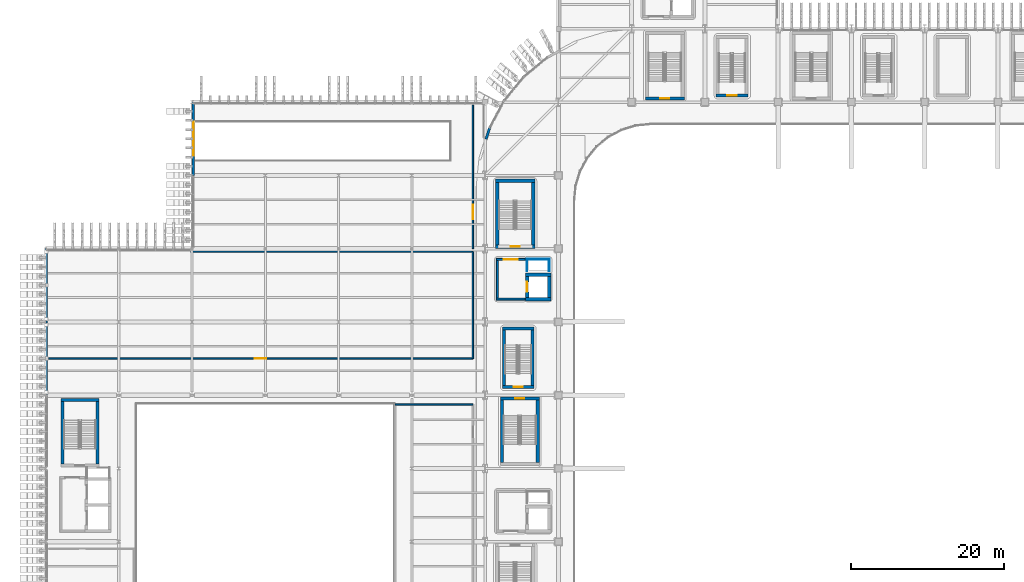
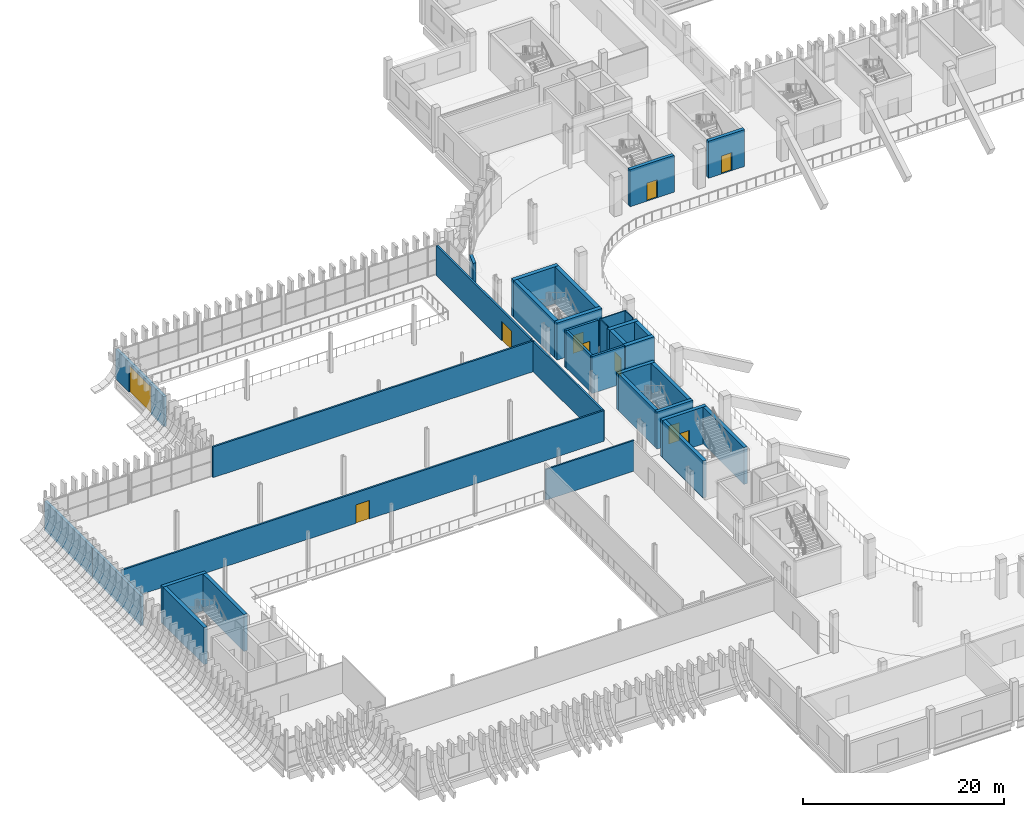
# One storey, part 51 of 100: 35 walls, 10 doors, 10 openings.
"""IFC4 building model written with IfcOpenShell, lengths in metres."""

from ifc_helpers import new_model, si_unit, direction, frame, frame_2d, origin, place, context, subcontext, project, spatial, rectangle, extrude, material, layer, layer_set, type_object, element, fill, save


model = new_model("IFC4")

# Units and contexts
model_context = context("Model", 3, precision=1e-05, world=origin(), true_north=direction((0.0, 1.0)))
body_context = subcontext(model_context, "Body", "Model", "MODEL_VIEW")
ifc_project = project(units=[si_unit("LENGTHUNIT", "METRE"), si_unit("AREAUNIT", "SQUARE_METRE"), si_unit("VOLUMEUNIT", "CUBIC_METRE"), si_unit("PLANEANGLEUNIT", "RADIAN"), si_unit("MASSUNIT", "GRAM", prefix="KILO")], contexts=[model_context])

# Site, building, storey
site_placement = place(None, origin())
site = spatial("IfcSite", under=ifc_project, at=site_placement, CompositionType="ELEMENT")
building_placement = place(site_placement, origin())
building = spatial("IfcBuilding", under=site, at=building_placement, Name="Caelomonte Colonnade Arena", CompositionType="ELEMENT")
storey_placement = place(building_placement, origin())
storey = spatial("IfcBuildingStorey", under=building, at=storey_placement, Name="L00", CompositionType="ELEMENT", Elevation=0.0)

# Wall
ifc_material_1 = material(Name="Precast concrete C40/50", Category="concrete")
ifc_layer_1 = layer(ifc_material_1, 0.330078125)
ifc_layer_set_1 = layer_set([ifc_layer_1], Name="Precast concrete C40/50")
wall_type_1 = type_object("IfcWallType", Name="ENV-WL-EXT33", PredefinedType="SOLIDWALL", material=ifc_layer_set_1)
wall_1_placement = place(storey_placement, frame((58.20556640625, 102.299072265625, 0.0), z_axis=(0.0, 0.0, 1.0), x_axis=(-0.290335421572, -0.956924941142, 0.0)))
element("IfcWall", 1, at=wall_1_placement, inside=storey, type_object=wall_type_1, Name="L00 exterior wall EW-L00-0169", PredefinedType="SOLIDWALL", context=body_context, shape_type="SweptSolid", body=[
    extrude(rectangle(XDim=1.611083984375, YDim=0.330078125, at=frame_2d((0.8056640625, 0.0))), origin(), (0.0, 0.0, 1.0), 3.572998046875),
])

# Wall, opening, door
wall_2_placement = place(storey_placement, frame((19.3798828125, 105.60009765625, 0.0), z_axis=(0.0, 0.0, 1.0), x_axis=(0.0, -1.0, 0.0)))
wall_2 = element("IfcWall", 2, at=wall_2_placement, inside=storey, type_object=wall_type_1, Name="L00 exterior wall EW-L00-0170", PredefinedType="SOLIDWALL", context=body_context, shape_type="SweptSolid", body=[
    extrude(rectangle(XDim=9.60009765625, YDim=0.330078125, at=frame_2d((4.800048828125, 0.0))), origin(), (0.0, 0.0, 1.0), 3.664306640625),
])
opening_1_placement = place(wall_2_placement, frame((7.0, 0.0, 0.0), z_axis=(0.0, 0.0, 1.0), x_axis=(-1.0, 0.0, 0.0)))
opening_1 = element("IfcOpeningElement", 3, at=opening_1_placement, cuts=wall_2, Name="Opening VD-05", PredefinedType="OPENING", context=body_context, shape_type="SweptSolid", body=[
    extrude(rectangle(XDim=4.39990234375, YDim=3.314453125, at=frame_2d((2.199951171875, 1.6572265625))), frame((0.0, 0.175048828125, 0.0), z_axis=(0.0, -1.0, 0.0), x_axis=(1.0, 0.0, 0.0)), (0.0, 0.0, 1.0), 0.35009765625),
])
ifc_material_2 = material(Name="Insulated galvanized steel ramp shutter", Category="steel")
door_type_1 = type_object("IfcDoorType", Name="ENV-DR-VDR", OperationType="ROLLINGUP", PredefinedType="USERDEFINED", material=ifc_material_2)
door_1_placement = place(opening_1_placement, origin())
door_1 = element("IfcDoor", 4, at=door_1_placement, inside=storey, type_object=door_type_1, Name="Vehicle service ramp shutter VD-05 VD-05", ObjectType="ROLLER SHUTTER", OperationType="ROLLINGUP", OverallHeight=3.314453125, OverallWidth=4.39990234375, PredefinedType="USERDEFINED", context=body_context, shape_type="SweptSolid", body=[
    extrude(rectangle(XDim=4.39990234375, YDim=3.314453125, at=frame_2d((2.199951171875, 1.6572265625))), frame((0.0, 0.02490234375, 0.0), z_axis=(0.0, -1.0, 0.0), x_axis=(1.0, 0.0, 0.0)), (0.0, 0.0, 1.0), 0.050048828125),
])
fill(opening_1, door_1)

# Walls
wall_3_placement = place(storey_placement, frame((0.10009765625, 86.39990234375, 0.0), z_axis=(0.0, 0.0, 1.0), x_axis=(0.0, -1.0, 0.0)))
element("IfcWall", 5, at=wall_3_placement, inside=storey, type_object=wall_type_1, Name="L00 exterior wall EW-L00-0171", PredefinedType="SOLIDWALL", context=body_context, shape_type="SweptSolid", body=[
    extrude(rectangle(XDim=9.599853515625, YDim=0.330078125, at=frame_2d((4.7998046875, 0.0))), origin(), (0.0, 0.0, 1.0), 3.572998046875),
])
wall_4_placement = place(storey_placement, frame((0.10009765625, 76.800048828125, 0.0), z_axis=(0.0, 0.0, 1.0), x_axis=(0.0, -1.0, 0.0)))
element("IfcWall", 6, at=wall_4_placement, inside=storey, type_object=wall_type_1, Name="L00 exterior wall EW-L00-0172", PredefinedType="SOLIDWALL", context=body_context, shape_type="SweptSolid", body=[
    extrude(rectangle(XDim=9.60009765625, YDim=0.330078125, at=frame_2d((4.800048828125, 0.0))), origin(), (0.0, 0.0, 1.0), 3.572998046875),
])
ifc_material_3 = material(Name="Concrete C40/50", Category="concrete")
ifc_layer_2 = layer(ifc_material_3, 0.260009765625)
ifc_layer_set_2 = layer_set([ifc_layer_2], Name="Concrete C40/50")
wall_type_2 = type_object("IfcWallType", Name="INT-WL-FW26", PredefinedType="SOLIDWALL", material=ifc_layer_set_2)
wall_5_placement = place(storey_placement, frame((59.070068359375, 79.800048828125, 0.0), z_axis=(0.0, 0.0, 1.0), x_axis=(1.0, 0.0, 0.0)))
element("IfcWall", 7, at=wall_5_placement, inside=storey, type_object=wall_type_2, Name="FW-C4-LB L00 south enclosure wall", PredefinedType="SOLIDWALL", context=body_context, shape_type="SweptSolid", body=[
    extrude(rectangle(XDim=3.760009765625, YDim=0.260009765625, at=frame_2d((1.8798828125, 0.0))), origin(), (0.0, 0.0, 1.0), 4.5),
])

# Wall, opening, door
wall_6_placement = place(storey_placement, frame((62.830078125, 85.0, 0.0), z_axis=(0.0, 0.0, 1.0), x_axis=(-1.0, 0.0, 0.0)))
wall_6 = element("IfcWall", 8, at=wall_6_placement, inside=storey, type_object=wall_type_2, Name="FW-C4-LB L00 north enclosure wall", PredefinedType="SOLIDWALL", context=body_context, shape_type="SweptSolid", body=[
    extrude(rectangle(XDim=3.760009765625, YDim=0.260009765625, at=frame_2d((1.8798828125, 0.0))), origin(), (0.0, 0.0, 1.0), 4.5),
])
opening_2_placement = place(wall_6_placement, frame((2.80517578125, 0.0, 0.0), z_axis=(0.0, 0.0, 1.0), x_axis=(-1.0, 0.0, 0.0)))
opening_2 = element("IfcOpeningElement", 9, at=opening_2_placement, cuts=wall_6, Name="Opening FD-2", PredefinedType="OPENING", context=body_context, shape_type="SweptSolid", body=[
    extrude(rectangle(XDim=1.85009765625, YDim=2.25, at=frame_2d((0.925048828125, 1.125))), frame((0.0, 0.139892578125, 0.0), z_axis=(0.0, -1.0, 0.0), x_axis=(1.0, 0.0, 0.0)), (0.0, 0.0, 1.0), 0.280029296875),
])
ifc_material_4 = material(Name="Fire-rated double steel door", Category="steel")
door_type_2 = type_object("IfcDoorType", Name="INT-DR-FD90B", OperationType="DOUBLE_DOOR_SINGLE_SWING", PredefinedType="DOOR", material=ifc_material_4)
door_2_placement = place(opening_2_placement, origin())
door_2 = element("IfcDoor", 10, at=door_2_placement, inside=storey, type_object=door_type_2, Name="Core C4 L00 lobby fire door", OperationType="DOUBLE_DOOR_SINGLE_SWING", OverallHeight=2.25, OverallWidth=1.85009765625, PredefinedType="DOOR", context=body_context, shape_type="SweptSolid", body=[
    extrude(rectangle(XDim=1.85009765625, YDim=2.25, at=frame_2d((0.925048828125, 1.125))), frame((0.0, 0.02490234375, 0.0), z_axis=(0.0, -1.0, 0.0), x_axis=(1.0, 0.0, 0.0)), (0.0, 0.0, 1.0), 0.050048828125),
])
fill(opening_2, door_2)

# Walls
wall_7_placement = place(storey_placement, frame((59.199951171875, 84.8701171875, 0.0), z_axis=(0.0, 0.0, 1.0), x_axis=(0.0, -1.0, 0.0)))
element("IfcWall", 11, at=wall_7_placement, inside=storey, type_object=wall_type_2, Name="FW-C4-LB L00 west enclosure wall", PredefinedType="SOLIDWALL", context=body_context, shape_type="SweptSolid", body=[
    extrude(rectangle(XDim=4.940185546875, YDim=0.260009765625, at=frame_2d((2.47021484375, 0.0))), origin(), (0.0, 0.0, 1.0), 4.5),
])
ifc_material_5 = material(Name="Service shaft lining partition")
ifc_layer_3 = layer(ifc_material_5, 0.10009765625)
ifc_layer_set_3 = layer_set([ifc_layer_3], Name="Service shaft lining partition")
wall_type_3 = type_object("IfcWallType", Name="INT-WL-PT10", PredefinedType="PARTITIONING", material=ifc_layer_set_3)
wall_8_placement = place(storey_placement, frame((66.050048828125, 85.0, 0.0), z_axis=(0.0, 0.0, 1.0), x_axis=(-1.0, 0.0, 0.0)))
element("IfcWall", 12, at=wall_8_placement, inside=storey, type_object=wall_type_3, Name="FW-C4-RS L00 north enclosure wall", PredefinedType="PARTITIONING", context=body_context, shape_type="SweptSolid", body=[
    extrude(rectangle(XDim=3.0, YDim=0.10009765625, at=frame_2d((1.5, 0.0))), origin(), (0.0, 0.0, 1.0), 4.5),
])
for number, where, z_axis, x_axis, name in (
    (13, (63.10009765625, 84.949951171875, 0.0), (0.0, 0.0, 1.0), (0.0, -1.0, 0.0), "FW-C4-RS L00 west enclosure wall"),
    (14, (66.0, 83.449951171875, 0.0), (0.0, 0.0, 1.0), (0.0, 1.0, 0.0), "FW-C4-RS L00 east enclosure wall"),
):
    element("IfcWall", number, at=place(storey_placement, frame(where, z_axis=z_axis, x_axis=x_axis)), inside=storey, type_object=wall_type_3, Name=name, PredefinedType="PARTITIONING", context=body_context, shape_type="SweptSolid", body=[
        extrude(rectangle(XDim=1.5, YDim=0.10009765625, at=frame_2d((0.75, 0.0))), origin(), (0.0, 0.0, 1.0), 4.5),
    ])
ifc_material_6 = material(Name="Acoustic gypsum stud partition")
ifc_layer_4 = layer(ifc_material_6, 0.179931640625)
ifc_layer_set_4 = layer_set([ifc_layer_4], Name="Acoustic gypsum stud partition")
wall_type_4 = type_object("IfcWallType", Name="INT-WL-PT18", PredefinedType="PARTITIONING", material=ifc_layer_set_4)
wall_9_placement = place(storey_placement, frame((45.820068359375, 66.0, 0.0), z_axis=(0.0, 0.0, 1.0), x_axis=(1.0, 0.0, 0.0)))
element("IfcWall", 15, at=wall_9_placement, inside=storey, type_object=wall_type_4, Name="L00 Sports Medicine Clinic partition 110", PredefinedType="PARTITIONING", context=body_context, shape_type="SweptSolid", body=[
    extrude(rectangle(XDim=10.179931640625, YDim=0.179931640625, at=frame_2d((5.08984375, 0.0))), origin(), (0.0, 0.0, 1.0), 3.738037109375),
])
ifc_material_7 = material(Name="Fire-rated gypsum stud partition")
ifc_layer_5 = layer(ifc_material_7, 0.199951171875)
ifc_layer_set_5 = layer_set([ifc_layer_5], Name="Fire-rated gypsum stud partition")
wall_type_5 = type_object("IfcWallType", Name="INT-WL-PT20", PredefinedType="PARTITIONING", material=ifc_layer_set_5)
wall_10_placement = place(storey_placement, frame((19.052978515625, 86.0, 0.0), z_axis=(0.0, 0.0, 1.0), x_axis=(1.0, 0.0, 0.0)))
element("IfcWall", 16, at=wall_10_placement, inside=storey, type_object=wall_type_5, Name="L00 Broadcast Compound Hall partition 114", PredefinedType="PARTITIONING", context=body_context, shape_type="SweptSolid", body=[
    extrude(rectangle(XDim=36.947021484375, YDim=0.199951171875, at=frame_2d((18.4736328125, 0.0))), origin(), (0.0, 0.0, 1.0), 3.738037109375),
])
wall_11_placement = place(storey_placement, frame((56.0, 86.0, 0.0), z_axis=(0.0, 0.0, 1.0), x_axis=(0.0, -1.0, 0.0)))
element("IfcWall", 17, at=wall_11_placement, inside=storey, type_object=wall_type_5, Name="L00 Broadcast Compound Hall partition 115", PredefinedType="PARTITIONING", context=body_context, shape_type="SweptSolid", body=[
    extrude(rectangle(XDim=14.0, YDim=0.199951171875, at=frame_2d((7.0, 0.0))), origin(), (0.0, 0.0, 1.0), 3.664306640625),
])

# Wall, opening, door
wall_12_placement = place(storey_placement, frame((56.0, 72.0, 0.0), z_axis=(0.0, 0.0, 1.0), x_axis=(-1.0, 0.0, 0.0)))
wall_12 = element("IfcWall", 18, at=wall_12_placement, inside=storey, type_object=wall_type_5, Name="L00 Broadcast Compound Hall partition 116", PredefinedType="PARTITIONING", context=body_context, shape_type="SweptSolid", body=[
    extrude(rectangle(XDim=55.60009765625, YDim=0.199951171875, at=frame_2d((27.800048828125, 0.0))), origin(), (0.0, 0.0, 1.0), 3.738037109375),
])
opening_3_placement = place(wall_12_placement, frame((27.050048828125, 0.0, 0.0), z_axis=(0.0, 0.0, 1.0), x_axis=(1.0, 0.0, 0.0)))
opening_3 = element("IfcOpeningElement", 19, at=opening_3_placement, cuts=wall_12, Name="Opening D-L00-037", PredefinedType="OPENING", context=body_context, shape_type="SweptSolid", body=[
    extrude(rectangle(XDim=1.5, YDim=2.25, at=frame_2d((0.75, 1.125))), frame((0.0, 0.10986328125, 0.0), z_axis=(0.0, -1.0, 0.0), x_axis=(1.0, 0.0, 0.0)), (0.0, 0.0, 1.0), 0.219970703125),
])
ifc_material_8 = material(Name="Hardwood double club lounge door", Category="wood")
door_type_3 = type_object("IfcDoorType", Name="INT-DR-SU2", OperationType="DOUBLE_DOOR_SINGLE_SWING", PredefinedType="DOOR", material=ifc_material_8)
door_3_placement = place(opening_3_placement, origin())
door_3 = element("IfcDoor", 20, at=door_3_placement, inside=storey, type_object=door_type_3, Name="L00 Broadcast Compound Hall door D-L00-037", OperationType="DOUBLE_DOOR_SINGLE_SWING", OverallHeight=2.25, OverallWidth=1.5, PredefinedType="DOOR", context=body_context, shape_type="SweptSolid", body=[
    extrude(rectangle(XDim=1.5, YDim=2.25, at=frame_2d((0.75, 1.125))), frame((0.0, 0.02490234375, 0.0), z_axis=(0.0, -1.0, 0.0), x_axis=(1.0, 0.0, 0.0)), (0.0, 0.0, 1.0), 0.050048828125),
])
fill(opening_3, door_3)

ifc_material_9 = material(Name="Acoustic masonry blockwork", Category="masonry")
ifc_layer_6 = layer(ifc_material_9, 0.219970703125)
ifc_layer_set_6 = layer_set([ifc_layer_6], Name="Acoustic masonry blockwork")
wall_type_6 = type_object("IfcWallType", Name="INT-WL-PT22", PredefinedType="PARTITIONING", material=ifc_layer_set_6)
wall_13_placement = place(storey_placement, frame((56.0, 105.199951171875, 0.0), z_axis=(0.0, 0.0, 1.0), x_axis=(0.0, -1.0, 0.0)))
wall_13 = element("IfcWall", 21, at=wall_13_placement, inside=storey, type_object=wall_type_6, Name="L00 Upper Loading Mezzanine partition 117", PredefinedType="PARTITIONING", context=body_context, shape_type="SweptSolid", body=[
    extrude(rectangle(XDim=18.800048828125, YDim=0.219970703125, at=frame_2d((9.39990234375, 0.0))), origin(), (0.0, 0.0, 1.0), 3.664306640625),
])
opening_4_placement = place(wall_13_placement, frame((13.02490234375, 0.0, 0.0), z_axis=(0.0, 0.0, 1.0), x_axis=(1.0, 0.0, 0.0)))
opening_4 = element("IfcOpeningElement", 22, at=opening_4_placement, cuts=wall_13, Name="Opening D-L00-038", PredefinedType="OPENING", context=body_context, shape_type="SweptSolid", body=[
    extrude(rectangle(XDim=1.949951171875, YDim=2.35009765625, at=frame_2d((0.97509765625, 1.175048828125))), frame((0.0, 0.119873046875, 0.0), z_axis=(0.0, -1.0, 0.0), x_axis=(1.0, 0.0, 0.0)), (0.0, 0.0, 1.0), 0.239990234375),
])
ifc_material_10 = material(Name="Double hollow-metal plant room door")
door_type_4 = type_object("IfcDoorType", Name="INT-DR-PLT", OperationType="DOUBLE_DOOR_SINGLE_SWING", PredefinedType="DOOR", material=ifc_material_10)
door_4_placement = place(opening_4_placement, origin())
door_4 = element("IfcDoor", 23, at=door_4_placement, inside=storey, type_object=door_type_4, Name="L00 Upper Loading Mezzanine door D-L00-038", OperationType="DOUBLE_DOOR_SINGLE_SWING", OverallHeight=2.35009765625, OverallWidth=1.949951171875, PredefinedType="DOOR", context=body_context, shape_type="SweptSolid", body=[
    extrude(rectangle(XDim=1.949951171875, YDim=2.35009765625, at=frame_2d((0.97509765625, 1.175048828125))), frame((0.0, 0.02490234375, 0.0), z_axis=(0.0, -1.0, 0.0), x_axis=(1.0, 0.0, 0.0)), (0.0, 0.0, 1.0), 0.050048828125),
])
fill(opening_4, door_4)

# Walls
ifc_material_11 = material(Name="Concrete C50/60", Category="concrete")
ifc_layer_7 = layer(ifc_material_11, 0.39990234375)
ifc_layer_set_7 = layer_set([ifc_layer_7], Name="Concrete C50/60")
wall_type_7 = type_object("IfcWallType", Name="INT-WL-SH40", PredefinedType="SHEAR", material=ifc_layer_set_7)
wall_14_placement = place(storey_placement, frame((7.0, 66.550048828125, 0.0), z_axis=(0.0, 0.0, 1.0), x_axis=(-1.0, 0.0, 0.0)))
element("IfcWall", 24, at=wall_14_placement, inside=storey, type_object=wall_type_7, Name="CW-C8-ST L00 north enclosure wall", PredefinedType="SHEAR", context=body_context, shape_type="SweptSolid", body=[
    extrude(rectangle(XDim=5.0, YDim=0.39990234375, at=frame_2d((2.5, 0.0))), origin(), (0.0, 0.0, 1.0), 4.5),
])
for number, where, z_axis, x_axis, name in (
    (25, (2.199951171875, 66.35009765625, 0.0), (0.0, 0.0, 1.0), (0.0, -1.0, 0.0), "CW-C8-ST L00 west enclosure wall"),
    (26, (6.800048828125, 58.199951171875, 0.0), (0.0, 0.0, 1.0), (0.0, 1.0, 0.0), "CW-C8-ST L00 east enclosure wall"),
):
    element("IfcWall", number, at=place(storey_placement, frame(where, z_axis=z_axis, x_axis=x_axis)), inside=storey, type_object=wall_type_7, Name=name, PredefinedType="SHEAR", context=body_context, shape_type="SweptSolid", body=[
        extrude(rectangle(XDim=8.150146484375, YDim=0.39990234375, at=frame_2d((4.0751953125, 0.0))), origin(), (0.0, 0.0, 1.0), 4.5),
    ])

# Wall, opening, door
wall_15_placement = place(storey_placement, frame((64.699951171875, 66.75, 0.0), z_axis=(0.0, 0.0, 1.0), x_axis=(-1.0, 0.0, 0.0)))
wall_15 = element("IfcWall", 27, at=wall_15_placement, inside=storey, type_object=wall_type_7, Name="CW-ST-09 L00 north enclosure wall", PredefinedType="SHEAR", context=body_context, shape_type="SweptSolid", body=[
    extrude(rectangle(XDim=5.099853515625, YDim=0.39990234375, at=frame_2d((2.5498046875, 0.0))), origin(), (0.0, 0.0, 1.0), 4.5),
])
opening_5_placement = place(wall_15_placement, frame((3.14990234375, 0.0, 0.0), z_axis=(0.0, 0.0, 1.0), x_axis=(-1.0, 0.0, 0.0)))
opening_5 = element("IfcOpeningElement", 28, at=opening_5_placement, cuts=wall_15, Name="Opening FD-1", PredefinedType="OPENING", context=body_context, shape_type="SweptSolid", body=[
    extrude(rectangle(XDim=1.199951171875, YDim=2.199951171875, at=frame_2d((0.60009765625, 1.10009765625))), frame((0.0, 0.2099609375, 0.0), z_axis=(0.0, -1.0, 0.0), x_axis=(1.0, 0.0, 0.0)), (0.0, 0.0, 1.0), 0.419921875),
])
ifc_material_12 = material(Name="Fire-rated steel door", Category="steel")
door_type_5 = type_object("IfcDoorType", Name="INT-DR-FD90A", OperationType="NOTDEFINED", PredefinedType="DOOR", material=ifc_material_12)
door_5_placement = place(opening_5_placement, origin())
door_5 = element("IfcDoor", 29, at=door_5_placement, inside=storey, type_object=door_type_5, Name="Protected exit stair ST-09 L00 fire door", OperationType="SINGLE_SWING_LEFT", OverallHeight=2.199951171875, OverallWidth=1.199951171875, PredefinedType="DOOR", context=body_context, shape_type="SweptSolid", body=[
    extrude(rectangle(XDim=1.199951171875, YDim=2.199951171875, at=frame_2d((0.60009765625, 1.10009765625))), frame((0.0, 0.02490234375, 0.0), z_axis=(0.0, -1.0, 0.0), x_axis=(1.0, 0.0, 0.0)), (0.0, 0.0, 1.0), 0.050048828125),
])
fill(opening_5, door_5)

# Walls
for number, where, z_axis, x_axis, name in (
    (30, (59.800048828125, 66.550048828125, 0.0), (0.0, 0.0, 1.0), (0.0, -1.0, 0.0), "CW-ST-09 L00 west enclosure wall"),
    (31, (64.5, 58.39990234375, 0.0), (0.0, 0.0, 1.0), (0.0, 1.0, 0.0), "CW-ST-09 L00 east enclosure wall"),
):
    element("IfcWall", number, at=place(storey_placement, frame(where, z_axis=z_axis, x_axis=x_axis)), inside=storey, type_object=wall_type_7, Name=name, PredefinedType="SHEAR", context=body_context, shape_type="SweptSolid", body=[
        extrude(rectangle(XDim=8.150146484375, YDim=0.39990234375, at=frame_2d((4.0751953125, 0.0))), origin(), (0.0, 0.0, 1.0), 4.5),
    ])

# Wall, opening, door
wall_16_placement = place(storey_placement, frame((78.60009765625, 106.10009765625, 0.0), z_axis=(0.0, 0.0, 1.0), x_axis=(1.0, 0.0, 0.0)))
wall_16 = element("IfcWall", 32, at=wall_16_placement, inside=storey, type_object=wall_type_7, Name="CW-ST-14 L00 south enclosure wall", PredefinedType="SHEAR", context=body_context, shape_type="SweptSolid", body=[
    extrude(rectangle(XDim=5.099853515625, YDim=0.39990234375, at=frame_2d((2.5498046875, 0.0))), origin(), (0.0, 0.0, 1.0), 4.5),
])
opening_6_placement = place(wall_16_placement, frame((3.14990234375, 0.0, 0.0), z_axis=(0.0, 0.0, 1.0), x_axis=(-1.0, 0.0, 0.0)))
opening_6 = element("IfcOpeningElement", 33, at=opening_6_placement, cuts=wall_16, Name="Opening FD-1", PredefinedType="OPENING", context=body_context, shape_type="SweptSolid", body=[
    extrude(rectangle(XDim=1.199951171875, YDim=2.199951171875, at=frame_2d((0.60009765625, 1.10009765625))), frame((0.0, 0.2099609375, 0.0), z_axis=(0.0, -1.0, 0.0), x_axis=(1.0, 0.0, 0.0)), (0.0, 0.0, 1.0), 0.419921875),
])
door_6_placement = place(opening_6_placement, origin())
door_6 = element("IfcDoor", 34, at=door_6_placement, inside=storey, type_object=door_type_5, Name="Protected exit stair ST-14 L00 fire door", OperationType="SINGLE_SWING_RIGHT", OverallHeight=2.199951171875, OverallWidth=1.199951171875, PredefinedType="DOOR", context=body_context, shape_type="SweptSolid", body=[
    extrude(rectangle(XDim=1.199951171875, YDim=2.199951171875, at=frame_2d((0.60009765625, 1.10009765625))), frame((0.0, 0.02490234375, 0.0), z_axis=(0.0, -1.0, 0.0), x_axis=(1.0, 0.0, 0.0)), (0.0, 0.0, 1.0), 0.050048828125),
])
fill(opening_6, door_6)

wall_17_placement = place(storey_placement, frame((87.8701171875, 106.469970703125, 0.0), z_axis=(0.0, 0.0, 1.0), x_axis=(1.0, 0.0, 0.0)))
wall_17 = element("IfcWall", 35, at=wall_17_placement, inside=storey, type_object=wall_type_7, Name="CW-ST-V05 L00 south enclosure wall", PredefinedType="SHEAR", context=body_context, shape_type="SweptSolid", body=[
    extrude(rectangle(XDim=4.159912109375, YDim=0.39990234375, at=frame_2d((2.080078125, 0.0))), origin(), (0.0, 0.0, 1.0), 4.5),
])
opening_7_placement = place(wall_17_placement, frame((2.679931640625, 0.0, 0.0), z_axis=(0.0, 0.0, 1.0), x_axis=(-1.0, 0.0, 0.0)))
opening_7 = element("IfcOpeningElement", 36, at=opening_7_placement, cuts=wall_17, Name="Opening FD-1", PredefinedType="OPENING", context=body_context, shape_type="SweptSolid", body=[
    extrude(rectangle(XDim=1.199951171875, YDim=2.199951171875, at=frame_2d((0.60009765625, 1.10009765625))), frame((0.0, 0.2099609375, 0.0), z_axis=(0.0, -1.0, 0.0), x_axis=(1.0, 0.0, 0.0)), (0.0, 0.0, 1.0), 0.419921875),
])
door_7_placement = place(opening_7_placement, origin())
door_7 = element("IfcDoor", 37, at=door_7_placement, inside=storey, type_object=door_type_5, Name="Vomitory VOM-05 stair ST-V05 L00 portal door", OperationType="SINGLE_SWING_RIGHT", OverallHeight=2.199951171875, OverallWidth=1.199951171875, PredefinedType="DOOR", context=body_context, shape_type="SweptSolid", body=[
    extrude(rectangle(XDim=1.199951171875, YDim=2.199951171875, at=frame_2d((0.60009765625, 1.10009765625))), frame((0.0, 0.02490234375, 0.0), z_axis=(0.0, -1.0, 0.0), x_axis=(1.0, 0.0, 0.0)), (0.0, 0.0, 1.0), 0.050048828125),
])
fill(opening_7, door_7)

wall_18_placement = place(storey_placement, frame((59.8701171875, 68.27001953125, 0.0), z_axis=(0.0, 0.0, 1.0), x_axis=(1.0, 0.0, 0.0)))
wall_18 = element("IfcWall", 38, at=wall_18_placement, inside=storey, type_object=wall_type_7, Name="CW-ST-V07 L00 south enclosure wall", PredefinedType="SHEAR", context=body_context, shape_type="SweptSolid", body=[
    extrude(rectangle(XDim=4.159912109375, YDim=0.39990234375, at=frame_2d((2.080078125, 0.0))), origin(), (0.0, 0.0, 1.0), 4.5),
])
opening_8_placement = place(wall_18_placement, frame((2.679931640625, 0.0, 0.0), z_axis=(0.0, 0.0, 1.0), x_axis=(-1.0, 0.0, 0.0)))
opening_8 = element("IfcOpeningElement", 39, at=opening_8_placement, cuts=wall_18, Name="Opening FD-1", PredefinedType="OPENING", context=body_context, shape_type="SweptSolid", body=[
    extrude(rectangle(XDim=1.199951171875, YDim=2.199951171875, at=frame_2d((0.60009765625, 1.10009765625))), frame((0.0, 0.2099609375, 0.0), z_axis=(0.0, -1.0, 0.0), x_axis=(1.0, 0.0, 0.0)), (0.0, 0.0, 1.0), 0.419921875),
])
door_8_placement = place(opening_8_placement, origin())
door_8 = element("IfcDoor", 40, at=door_8_placement, inside=storey, type_object=door_type_5, Name="Vomitory VOM-07 stair ST-V07 L00 portal door", OperationType="SINGLE_SWING_RIGHT", OverallHeight=2.199951171875, OverallWidth=1.199951171875, PredefinedType="DOOR", context=body_context, shape_type="SweptSolid", body=[
    extrude(rectangle(XDim=1.199951171875, YDim=2.199951171875, at=frame_2d((0.60009765625, 1.10009765625))), frame((0.0, 0.02490234375, 0.0), z_axis=(0.0, -1.0, 0.0), x_axis=(1.0, 0.0, 0.0)), (0.0, 0.0, 1.0), 0.050048828125),
])
fill(opening_8, door_8)

# Walls
wall_19_placement = place(storey_placement, frame((64.030029296875, 75.929931640625, 0.0), z_axis=(0.0, 0.0, 1.0), x_axis=(-1.0, 0.0, 0.0)))
element("IfcWall", 41, at=wall_19_placement, inside=storey, type_object=wall_type_7, Name="CW-ST-V07 L00 north enclosure wall", PredefinedType="SHEAR", context=body_context, shape_type="SweptSolid", body=[
    extrude(rectangle(XDim=4.159912109375, YDim=0.39990234375, at=frame_2d((2.080078125, 0.0))), origin(), (0.0, 0.0, 1.0), 4.5),
])
for number, where, z_axis, x_axis, name in (
    (42, (60.070068359375, 75.72998046875, 0.0), (0.0, 0.0, 1.0), (0.0, -1.0, 0.0), "CW-ST-V07 L00 west enclosure wall"),
    (43, (63.830078125, 68.469970703125, 0.0), (0.0, 0.0, 1.0), (0.0, 1.0, 0.0), "CW-ST-V07 L00 east enclosure wall"),
):
    element("IfcWall", number, at=place(storey_placement, frame(where, z_axis=z_axis, x_axis=x_axis)), inside=storey, type_object=wall_type_7, Name=name, PredefinedType="SHEAR", context=body_context, shape_type="SweptSolid", body=[
        extrude(rectangle(XDim=7.260009765625, YDim=0.39990234375, at=frame_2d((3.6298828125, 0.0))), origin(), (0.0, 0.0, 1.0), 4.5),
    ])

# Wall, opening, door
ifc_layer_8 = layer(ifc_material_11, 0.449951171875)
ifc_layer_set_8 = layer_set([ifc_layer_8], Name="Concrete C50/60")
wall_type_8 = type_object("IfcWallType", Name="INT-WL-SH45", PredefinedType="SHEAR", material=ifc_layer_set_8)
wall_20_placement = place(storey_placement, frame((58.949951171875, 86.675048828125, 0.0), z_axis=(0.0, 0.0, 1.0), x_axis=(1.0, 0.0, 0.0)))
wall_20 = element("IfcWall", 44, at=wall_20_placement, inside=storey, type_object=wall_type_8, Name="CW-C4-ST L00 south enclosure wall", PredefinedType="SHEAR", context=body_context, shape_type="SweptSolid", body=[
    extrude(rectangle(XDim=5.199951171875, YDim=0.449951171875, at=frame_2d((2.60009765625, 0.0))), origin(), (0.0, 0.0, 1.0), 4.5),
])
opening_9_placement = place(wall_20_placement, frame((3.199951171875, 0.0, 0.0), z_axis=(0.0, 0.0, 1.0), x_axis=(-1.0, 0.0, 0.0)))
opening_9 = element("IfcOpeningElement", 45, at=opening_9_placement, cuts=wall_20, Name="Opening FD-1", PredefinedType="OPENING", context=body_context, shape_type="SweptSolid", body=[
    extrude(rectangle(XDim=1.199951171875, YDim=2.199951171875, at=frame_2d((0.60009765625, 1.10009765625))), frame((0.0, 0.23486328125, 0.0), z_axis=(0.0, -1.0, 0.0), x_axis=(1.0, 0.0, 0.0)), (0.0, 0.0, 1.0), 0.469970703125),
])
door_9_placement = place(opening_9_placement, origin())
door_9 = element("IfcDoor", 46, at=door_9_placement, inside=storey, type_object=door_type_5, Name="Core C4 L00 exit stair fire door", OperationType="SINGLE_SWING_RIGHT", OverallHeight=2.199951171875, OverallWidth=1.199951171875, PredefinedType="DOOR", context=body_context, shape_type="SweptSolid", body=[
    extrude(rectangle(XDim=1.199951171875, YDim=2.199951171875, at=frame_2d((0.60009765625, 1.10009765625))), frame((0.0, 0.02490234375, 0.0), z_axis=(0.0, -1.0, 0.0), x_axis=(1.0, 0.0, 0.0)), (0.0, 0.0, 1.0), 0.050048828125),
])
fill(opening_9, door_9)

# Walls
wall_21_placement = place(storey_placement, frame((64.14990234375, 95.27490234375, 0.0), z_axis=(0.0, 0.0, 1.0), x_axis=(-1.0, 0.0, 0.0)))
element("IfcWall", 47, at=wall_21_placement, inside=storey, type_object=wall_type_8, Name="CW-C4-ST L00 north enclosure wall", PredefinedType="SHEAR", context=body_context, shape_type="SweptSolid", body=[
    extrude(rectangle(XDim=5.199951171875, YDim=0.449951171875, at=frame_2d((2.60009765625, 0.0))), origin(), (0.0, 0.0, 1.0), 4.5),
])
for number, where, z_axis, x_axis, name in (
    (48, (59.175048828125, 95.050048828125, 0.0), (0.0, 0.0, 1.0), (0.0, -1.0, 0.0), "CW-C4-ST L00 west enclosure wall"),
    (49, (63.925048828125, 86.89990234375, 0.0), (0.0, 0.0, 1.0), (0.0, 1.0, 0.0), "CW-C4-ST L00 east enclosure wall"),
):
    element("IfcWall", number, at=place(storey_placement, frame(where, z_axis=z_axis, x_axis=x_axis)), inside=storey, type_object=wall_type_8, Name=name, PredefinedType="SHEAR", context=body_context, shape_type="SweptSolid", body=[
        extrude(rectangle(XDim=8.150146484375, YDim=0.449951171875, at=frame_2d((4.0751953125, 0.0))), origin(), (0.0, 0.0, 1.0), 4.5),
    ])
for number, where, z_axis, x_axis, name in (
    (50, (62.875, 79.800048828125, 0.0), (0.0, 0.0, 1.0), (1.0, 0.0, 0.0), "CW-C4-LF L00 south enclosure wall"),
    (51, (66.22509765625, 83.0, 0.0), (0.0, 0.0, 1.0), (-1.0, 0.0, 0.0), "CW-C4-LF L00 north enclosure wall"),
):
    element("IfcWall", number, at=place(storey_placement, frame(where, z_axis=z_axis, x_axis=x_axis)), inside=storey, type_object=wall_type_8, Name=name, PredefinedType="SHEAR", context=body_context, shape_type="SweptSolid", body=[
        extrude(rectangle(XDim=3.35009765625, YDim=0.449951171875, at=frame_2d((1.675048828125, 0.0))), origin(), (0.0, 0.0, 1.0), 4.5),
    ])

# Wall, opening, door
wall_22_placement = place(storey_placement, frame((63.10009765625, 82.77490234375, 0.0), z_axis=(0.0, 0.0, 1.0), x_axis=(0.0, -1.0, 0.0)))
wall_22 = element("IfcWall", 52, at=wall_22_placement, inside=storey, type_object=wall_type_8, Name="CW-C4-LF L00 west enclosure wall", PredefinedType="SHEAR", context=body_context, shape_type="SweptSolid", body=[
    extrude(rectangle(XDim=2.75, YDim=0.449951171875, at=frame_2d((1.375, 0.0))), origin(), (0.0, 0.0, 1.0), 4.5),
])
opening_10_placement = place(wall_22_placement, frame((0.72509765625, 0.0, 0.0), z_axis=(0.0, 0.0, 1.0), x_axis=(1.0, 0.0, 0.0)))
opening_10 = element("IfcOpeningElement", 53, at=opening_10_placement, cuts=wall_22, Name="Opening LD-FL-04-L00", PredefinedType="OPENING", context=body_context, shape_type="SweptSolid", body=[
    extrude(rectangle(XDim=1.300048828125, YDim=2.25, at=frame_2d((0.64990234375, 1.125))), frame((0.0, 0.23486328125, 0.0), z_axis=(0.0, -1.0, 0.0), x_axis=(1.0, 0.0, 0.0)), (0.0, 0.0, 1.0), 0.469970703125),
])
ifc_material_13 = material(Name="Firefighting lift landing door")
door_type_6 = type_object("IfcDoorType", Name="INT-DR-LD2", OperationType="SLIDING_TO_RIGHT", PredefinedType="DOOR", material=ifc_material_13)
door_10_placement = place(opening_10_placement, origin())
door_10 = element("IfcDoor", 54, at=door_10_placement, inside=storey, type_object=door_type_6, Name="Lift FL-04 L00 sliding landing door", OperationType="SLIDING_TO_RIGHT", OverallHeight=2.25, OverallWidth=1.300048828125, PredefinedType="DOOR", context=body_context, shape_type="SweptSolid", body=[
    extrude(rectangle(XDim=1.300048828125, YDim=2.25, at=frame_2d((0.64990234375, 1.125))), frame((0.0, 0.02490234375, 0.0), z_axis=(0.0, -1.0, 0.0), x_axis=(1.0, 0.0, 0.0)), (0.0, 0.0, 1.0), 0.050048828125),
])
fill(opening_10, door_10)

# Wall
wall_23_placement = place(storey_placement, frame((66.0, 80.02490234375, 0.0), z_axis=(0.0, 0.0, 1.0), x_axis=(0.0, 1.0, 0.0)))
element("IfcWall", 55, at=wall_23_placement, inside=storey, type_object=wall_type_8, Name="CW-C4-LF L00 east enclosure wall", PredefinedType="SHEAR", context=body_context, shape_type="SweptSolid", body=[
    extrude(rectangle(XDim=2.75, YDim=0.449951171875, at=frame_2d((1.375, 0.0))), origin(), (0.0, 0.0, 1.0), 4.5),
])

save(model, "model.ifc")
